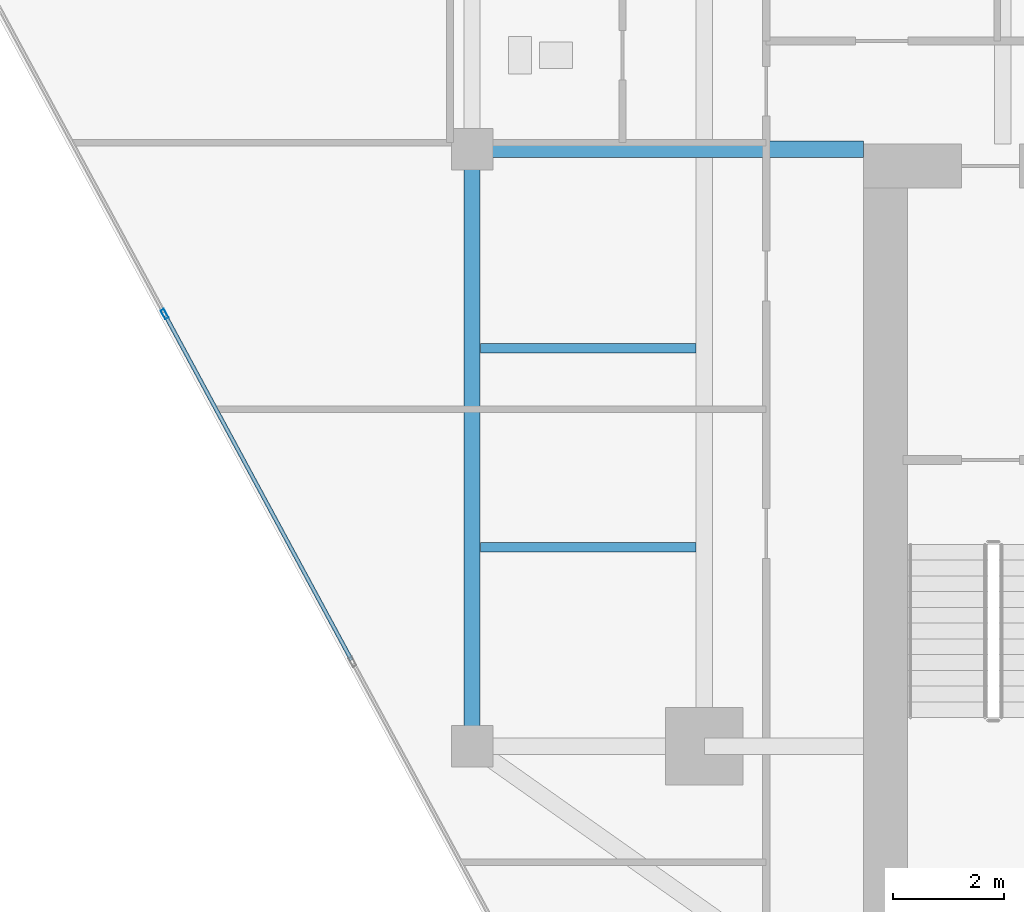
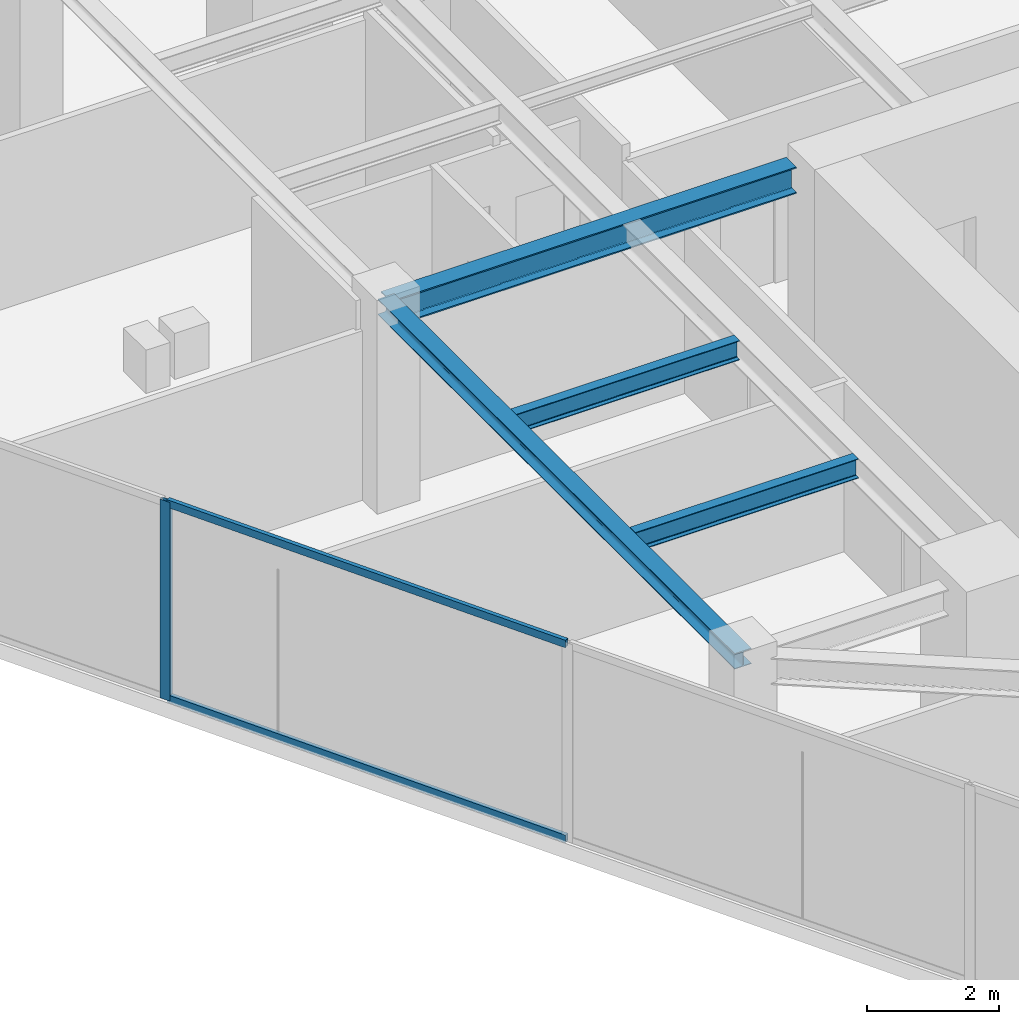
# One storey, part 4 of 22: 4 beams, 3 members, 1 element without a shape of its own.
"""IFC4 building model written with IfcOpenShell, lengths in metres."""

from ifc_helpers import new_model, si_unit, direction, frame, origin, origin_2d, place, context, subcontext, project, spatial, hollow_rectangle, i_section, extrude, source, transform, mapped, material, material_profile, profile_set, type_object, type_shapes, element, aggregate, save


model = new_model("IFC4")

# Units and contexts
model_context = context("Model", 3, precision=1e-05, world=origin(), true_north=direction((0.0, 1.0)))
body_context = subcontext(model_context, "Body", "Model", "MODEL_VIEW")
ifc_project = project(units=[si_unit("LENGTHUNIT", "METRE"), si_unit("AREAUNIT", "SQUARE_METRE"), si_unit("VOLUMEUNIT", "CUBIC_METRE"), si_unit("PLANEANGLEUNIT", "RADIAN"), si_unit("MASSUNIT", "GRAM", prefix="KILO")], contexts=[model_context])

# Site, building, storey
site_placement = place(None, origin())
site = spatial("IfcSite", under=ifc_project, at=site_placement, CompositionType="ELEMENT")
building_placement = place(site_placement, origin())
building = spatial("IfcBuilding", under=site, at=building_placement, Name="Krantzveldt Concourse Tower", CompositionType="ELEMENT")
storey_placement = place(building_placement, frame((0.0, 0.0, 306.89990234375)))
storey = spatial("IfcBuildingStorey", under=building, at=storey_placement, Name="L75", CompositionType="ELEMENT", Elevation=306.89990234375)

# Beams
ifc_material_1 = material(Name="Steel S355JR", Category="steel")
ifc_material_profile_1 = material_profile(ifc_material_1, i_section(OverallWidth=0.300048828125, OverallDepth=0.489990234375, WebThickness=0.011962890625, FlangeThickness=0.02294921875, FilletRadius=0.027099609375, at=origin_2d()), Name="Steel S355JR", Category="steel")
ifc_profile_set_1 = profile_set([ifc_material_profile_1], Name="Steel S355JR - HEA 500")
beam_type_1 = type_object("IfcBeamType", Name="BM-B-HEA500", PredefinedType="BEAM", material=ifc_profile_set_1)
shared_shape_1 = source(origin(), body_context, "Body", "SweptSolid", [
    extrude(i_section(OverallWidth=0.300048828125, OverallDepth=0.489990234375, WebThickness=0.011962890625, FlangeThickness=0.02294921875, FilletRadius=0.027099609375, at=origin_2d()), origin(), (0.0, 0.0, 1.0), 7.080078125),
])
type_shapes(beam_type_1, [shared_shape_1])
beam_1_placement = place(storey_placement, frame((21.0, 26.699951171875, 3.425048828125), z_axis=(1.0, 0.0, 0.0), x_axis=(0.0, 1.0, 0.0)))
element("IfcBeam", 1, at=beam_1_placement, inside=storey, type_object=beam_type_1, Name="L75 Tower Girder BG-CW2", PredefinedType="BEAM", context=body_context, shape_type="MappedRepresentation", body=[
    mapped(shared_shape_1, transform((0.0, 0.0, 0.0), x_axis=(1.0, 0.0, 0.0), y_axis=(0.0, 1.0, 0.0), z_axis=(0.0, 0.0, 1.0), scale=1.0)),
])
ifc_material_profile_2 = material_profile(ifc_material_1, i_section(OverallWidth=0.2900390625, OverallDepth=0.2900390625, WebThickness=0.008544921875, FlangeThickness=0.013916015625, FilletRadius=0.027099609375, at=origin_2d()), Name="Steel S355JR", Category="steel")
ifc_profile_set_2 = profile_set([ifc_material_profile_2], Name="Steel S355JR - HEA 300")
beam_type_2 = type_object("IfcBeamType", Name="BM-SP-HEA300", PredefinedType="SPANDREL", material=ifc_profile_set_2)
shared_shape_2 = source(origin(), body_context, "Body", "SweptSolid", [
    extrude(i_section(OverallWidth=0.2900390625, OverallDepth=0.2900390625, WebThickness=0.008544921875, FlangeThickness=0.013916015625, FilletRadius=0.027099609375, at=origin_2d()), origin(), (0.0, 0.0, 1.0), 10.800048828125),
])
type_shapes(beam_type_2, [shared_shape_2])
beam_2_placement = place(storey_placement, frame((21.0, 15.89990234375, 3.525146484375), z_axis=(0.0, 1.0, 0.0), x_axis=(-1.0, 0.0, 0.0)))
element("IfcBeam", 2, at=beam_2_placement, inside=storey, type_object=beam_type_2, Name="L75 Tower Girder SP-R01", PredefinedType="SPANDREL", context=body_context, shape_type="MappedRepresentation", body=[
    mapped(shared_shape_2, transform((0.0, 0.0, 0.0), x_axis=(1.0, 0.0, 0.0), y_axis=(0.0, 1.0, 0.0), z_axis=(0.0, 0.0, 1.0), scale=1.0)),
])
ifc_material_profile_3 = material_profile(ifc_material_1, i_section(OverallWidth=0.169921875, OverallDepth=0.360107421875, WebThickness=0.008056640625, FlangeThickness=0.0126953125, FilletRadius=0.01806640625, at=origin_2d()), Name="Steel S355JR", Category="steel")
ifc_profile_set_3 = profile_set([ifc_material_profile_3], Name="Steel S355JR - IPE 360")
beam_type_3 = type_object("IfcBeamType", Name="BM-J-IPE360", PredefinedType="JOIST", material=ifc_profile_set_3)
shared_shape_3 = source(origin(), body_context, "Body", "SweptSolid", [
    extrude(i_section(OverallWidth=0.169921875, OverallDepth=0.360107421875, WebThickness=0.008056640625, FlangeThickness=0.0126953125, FilletRadius=0.01806640625, at=origin_2d()), origin(), (0.0, 0.0, 1.0), 3.900146484375),
])
type_shapes(beam_type_3, [shared_shape_3])
for number, where, z_axis, x_axis, name in (
    (3, (21.14990234375, 19.5, 3.489990234375), (1.0, 0.0, 0.0), (0.0, 1.0, 0.0), "L75 Secondary Floor Joist JW-1"),
    (4, (21.14990234375, 23.10009765625, 3.489990234375), (1.0, 0.0, 0.0), (0.0, 1.0, 0.0), "L75 Secondary Floor Joist JW-2"),
):
    element("IfcBeam", number, at=place(storey_placement, frame(where, z_axis=z_axis, x_axis=x_axis)), inside=storey, type_object=beam_type_3, Name=name, PredefinedType="JOIST", context=body_context, shape_type="MappedRepresentation", body=[
        mapped(shared_shape_3, transform((0.0, 0.0, 0.0), x_axis=(1.0, 0.0, 0.0), y_axis=(0.0, 1.0, 0.0), z_axis=(0.0, 0.0, 1.0), scale=1.0)),
    ])

# Curtain wall, members
ifc_material_2 = material(Name="Anodised aluminium 6063-T6", Category="aluminium")
curtain_wall_type = type_object("IfcCurtainWallType", Name="CW4", PredefinedType="USERDEFINED", material=ifc_material_2)
curtain_wall_placement = place(storey_placement, origin())
curtain_wall = element("IfcCurtainWall", 5, at=curtain_wall_placement, inside=storey, type_object=curtain_wall_type, Name="CW-L75-F04", ObjectType="UNITISED CURTAIN WALL", PredefinedType="USERDEFINED")
ifc_material_profile_4 = material_profile(ifc_material_2, hollow_rectangle(XDim=0.070068359375, YDim=0.179931640625, WallThickness=0.0048828125, at=origin_2d()), Name="Anodised aluminium 6063-T6", Category="aluminium")
ifc_profile_set_4 = profile_set([ifc_material_profile_4], Name="Anodised aluminium 6063-T6 - ALU-MULL 180x70x5")
member_type_1 = type_object("IfcMemberType", Name="CW-MUL-180", PredefinedType="MULLION", material=ifc_profile_set_4)
shared_shape_4 = source(origin(), body_context, "Body", "SweptSolid", [
    extrude(hollow_rectangle(XDim=0.070068359375, YDim=0.179931640625, WallThickness=0.0048828125, at=origin_2d()), origin(), (0.0, 0.0, 1.0), 3.670166015625),
])
type_shapes(member_type_1, [shared_shape_4])
member_1_placement = place(storey_placement, frame((15.43603515625, 23.718994140625, 0.0), z_axis=(0.0, 0.0, 1.0), x_axis=(0.87985605875, 0.475240271736, 0.0)))
member_1 = element("IfcMember", 6, at=member_1_placement, type_object=member_type_1, Name="CW-Z56 mullion 2", PredefinedType="MULLION", context=body_context, shape_type="MappedRepresentation", body=[
    mapped(shared_shape_4, transform((0.0, 0.0, 0.0), x_axis=(1.0, 0.0, 0.0), y_axis=(0.0, 1.0, 0.0), z_axis=(0.0, 0.0, 1.0), scale=1.0)),
])
ifc_material_profile_5 = material_profile(ifc_material_2, hollow_rectangle(XDim=0.070068359375, YDim=0.139892578125, WallThickness=0.0048828125, at=origin_2d()), Name="Anodised aluminium 6063-T6", Category="aluminium")
ifc_profile_set_5 = profile_set([ifc_material_profile_5], Name="Anodised aluminium 6063-T6 - ALU-TRAN 140x70x5")
member_type_2 = type_object("IfcMemberType", Name="CW-TRN-150", PredefinedType="USERDEFINED", material=ifc_profile_set_5)
shared_shape_5 = source(origin(), body_context, "Body", "SweptSolid", [
    extrude(hollow_rectangle(XDim=0.070068359375, YDim=0.139892578125, WallThickness=0.0048828125, at=origin_2d()), origin(), (0.0, 0.0, 1.0), 7.080078125),
])
type_shapes(member_type_2, [shared_shape_5])
member_2_placement = place(storey_placement, frame((15.45263671875, 23.688232421875, 0.03515625), z_axis=(0.47523861604, -0.879856953046, 0.0), x_axis=(0.879856953046, 0.47523861604, 0.0)))
member_2 = element("IfcMember", 7, at=member_2_placement, type_object=member_type_2, Name="CW-Z56 transom 2.1", ObjectType="TRANSOM", PredefinedType="USERDEFINED", context=body_context, shape_type="MappedRepresentation", body=[
    mapped(shared_shape_5, transform((0.0, 0.0, 0.0), x_axis=(1.0, 0.0, 0.0), y_axis=(0.0, 1.0, 0.0), z_axis=(0.0, 0.0, 1.0), scale=1.0)),
])
member_3_placement = place(storey_placement, frame((15.45263671875, 23.688232421875, 3.635009765625), z_axis=(0.47523861604, -0.879856953046, 0.0), x_axis=(0.879856953046, 0.47523861604, 0.0)))
member_3 = element("IfcMember", 8, at=member_3_placement, type_object=member_type_2, Name="CW-Z56 transom 2.2", ObjectType="TRANSOM", PredefinedType="USERDEFINED", context=body_context, shape_type="MappedRepresentation", body=[
    mapped(shared_shape_5, transform((0.0, 0.0, 0.0), x_axis=(1.0, 0.0, 0.0), y_axis=(0.0, 1.0, 0.0), z_axis=(0.0, 0.0, 1.0), scale=1.0)),
])
aggregate(curtain_wall, [member_1, member_2, member_3])

save(model, "model.ifc")
